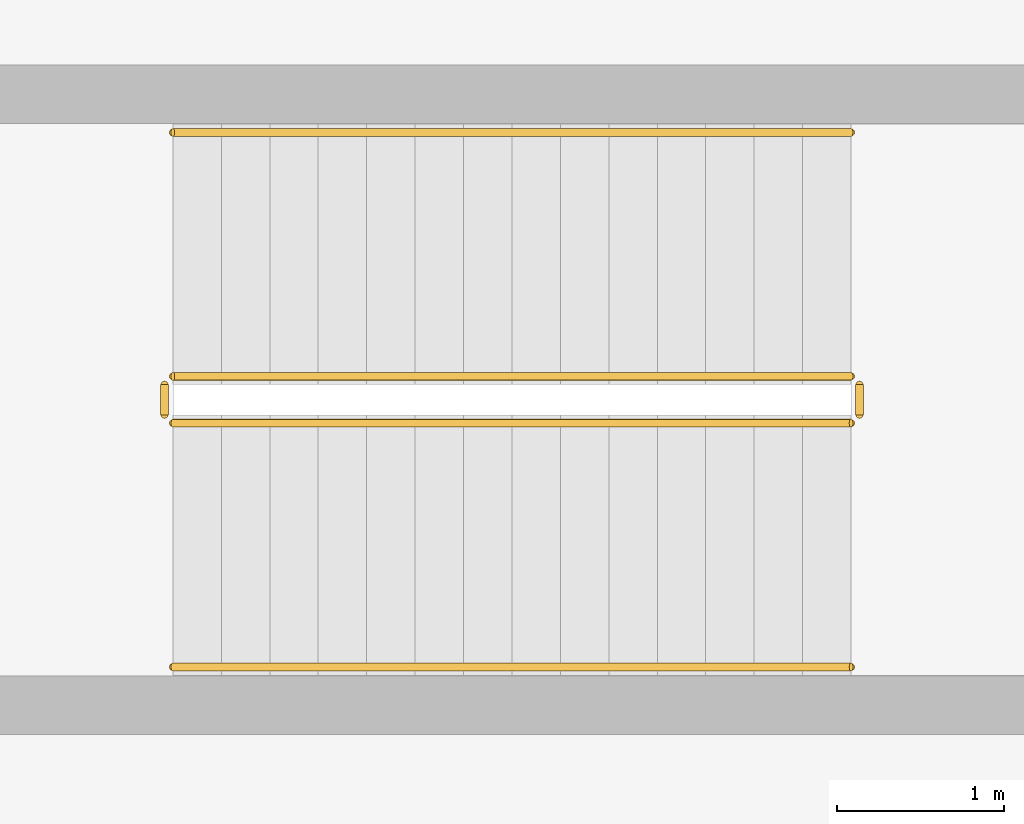
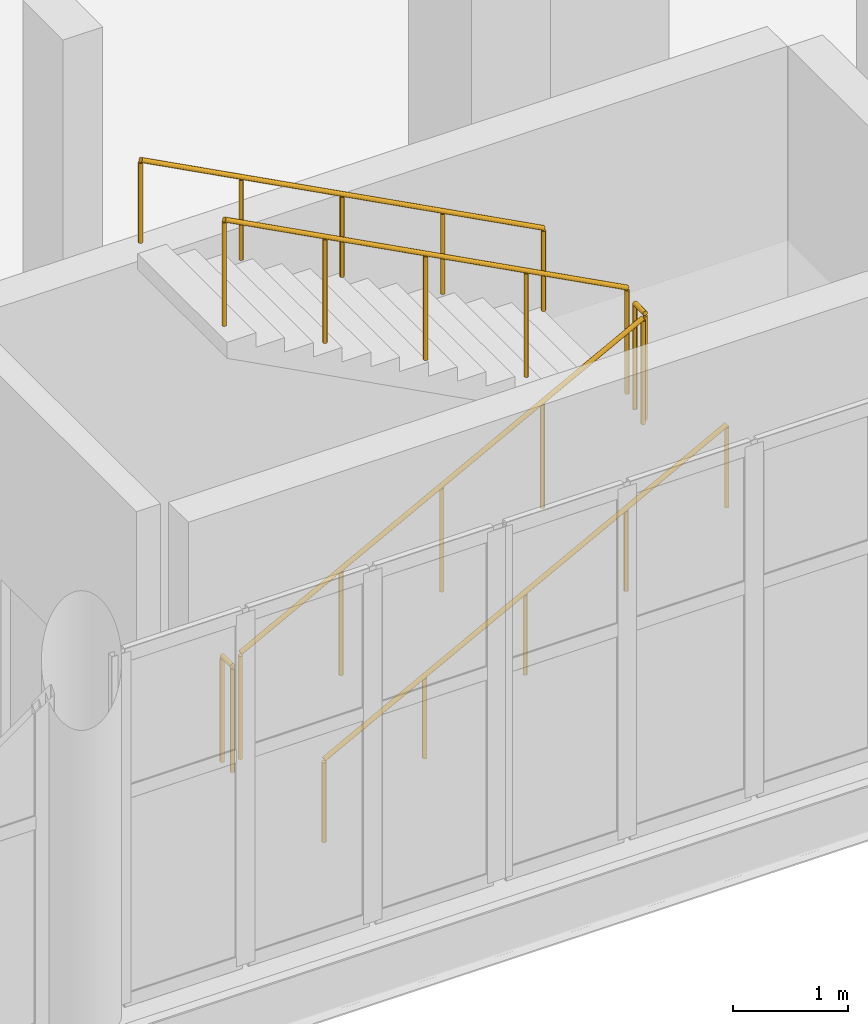
# One storey, part 130 of 136: 6 railings.
"""IFC4 building model written with IfcOpenShell, lengths in metres."""

import ifcopenshell
import ifcopenshell.guid

model = None  # the IFC model being written
_history = None  # IfcOwnerHistory: only IFC2X3 demands one
_inside = {}  # id of a spatial element -> (the spatial element, [elements in it])
_under = {}  # id of a project, library or spatial element -> (it, [spatial elements below it])
_declared = {}  # id of a project -> (the project, [libraries it declares])
_typed = {}  # id of a type object -> (the type object, [elements of that type])
_made_of = {}  # id of a material, layer set ... -> (it, [elements and type objects made of it])


def new_model(schema):
    """Start an empty IFC model of exactly this schema.

    Asked for "IFC4X3", IfcOpenShell would pick the latest addendum, in which some entities
    have other attributes; the version numbers below select the first issue.
    IFC2X3 requires an IfcOwnerHistory on every rooted entity: one is made here for all.
    """
    global model, _history
    if schema == "IFC4X3":
        model = ifcopenshell.file(schema_version=(4, 3, 0, 0))
    else:
        model = ifcopenshell.file(schema=schema)
    _inside.clear()
    _under.clear()
    _declared.clear()
    _typed.clear()
    _made_of.clear()
    _history = None
    if model.schema == "IFC2X3":
        org = make("IfcOrganization", Name="unknown")
        user = make(
            "IfcPersonAndOrganization",
            ThePerson=make("IfcPerson", FamilyName="unknown"),
            TheOrganization=org,
        )
        app = make(
            "IfcApplication",
            ApplicationDeveloper=org,
            Version="unknown",
            ApplicationFullName="unknown",
            ApplicationIdentifier="unknown",
        )
        _history = make(
            "IfcOwnerHistory",
            OwningUser=user,
            OwningApplication=app,
            ChangeAction="ADDED",
            CreationDate=0,
        )
    return model


def make(cls, **values):
    """One entity of the class cls with the attributes given. An attribute that is None is left unset."""
    return model.create_entity(
        cls, **{name: value for name, value in values.items() if value is not None}
    )


def rooted(cls, **values):
    """An entity with a GlobalId (a new one), such as an element, a storey or a relation."""
    return make(cls, GlobalId=ifcopenshell.guid.new(), OwnerHistory=_history, **values)


def si_unit(unit_type, name, prefix=None):
    """IfcSIUnit, for example si_unit("LENGTHUNIT", "METRE", prefix="MILLI")."""
    return make("IfcSIUnit", UnitType=unit_type, Prefix=prefix, Name=name)


def assignment(units):
    """IfcUnitAssignment: the units of a project."""
    return None if units is None else make("IfcUnitAssignment", Units=units)


def point(xyz):
    """IfcCartesianPoint."""
    return None if xyz is None else make("IfcCartesianPoint", Coordinates=xyz)


def direction(xyz):
    """IfcDirection."""
    return None if xyz is None else make("IfcDirection", DirectionRatios=xyz)


def frame(location, z_axis=None, x_axis=None):
    """IfcAxis2Placement3D, a coordinate frame: its origin and axes. An axis left out is left unset."""
    return make(
        "IfcAxis2Placement3D",
        Location=point(location),
        Axis=direction(z_axis),
        RefDirection=direction(x_axis),
    )


def frame_2d(location, x_axis=None):
    """IfcAxis2Placement2D, a coordinate frame in the plane: its origin and x axis."""
    return make(
        "IfcAxis2Placement2D", Location=point(location), RefDirection=direction(x_axis)
    )


def origin():
    """The frame at (0, 0, 0) with its axes left unset."""
    return frame((0.0, 0.0, 0.0))


def origin_2d():
    """The frame at (0, 0) in the plane with its x axis left unset."""
    return frame_2d((0.0, 0.0))


def place(relative_to, where):
    """IfcLocalPlacement: puts the frame where relative to a parent placement (None: the world)."""
    return make(
        "IfcLocalPlacement", PlacementRelTo=relative_to, RelativePlacement=where
    )


def context(
    kind, dimensions, precision=None, world=None, true_north=None, identifier=None
):
    """IfcGeometricRepresentationContext, for example the 3D "Model" context."""
    return make(
        "IfcGeometricRepresentationContext",
        ContextIdentifier=identifier,
        ContextType=kind,
        CoordinateSpaceDimension=dimensions,
        Precision=precision,
        WorldCoordinateSystem=world,
        TrueNorth=true_north,
    )


def subcontext(parent, identifier, kind, view, scale=None):
    """IfcGeometricRepresentationSubContext, for example "Body" below "Model"."""
    return make(
        "IfcGeometricRepresentationSubContext",
        ContextIdentifier=identifier,
        ContextType=kind,
        ParentContext=parent,
        TargetScale=scale,
        TargetView=view,
    )


def project(units=None, contexts=None):
    """IfcProject with its units and contexts."""
    return rooted(
        "IfcProject",
        Name="project",
        RepresentationContexts=contexts,
        UnitsInContext=assignment(units),
    )


def spatial(cls, under=None, at=None, **own):
    """A site, building, storey or space (cls), placed at a placement, below another one or the project."""
    s = rooted(cls, ObjectPlacement=at, **own)
    if under is not None:
        _under.setdefault(under.id(), (under, []))[1].append(s)
    return s


def profile(cls, at=None, kind="AREA", **sizes):
    """A parametric profile (cls). Its sizes go by their IFC names, for example OverallWidth=200.0."""
    return make(cls, ProfileType=kind, Position=at, **sizes)


def circle(**sizes):
    """IfcCircleProfileDef."""
    return profile("IfcCircleProfileDef", **sizes)


def extrude(swept, where, along, depth):
    """IfcExtrudedAreaSolid: the profile swept, set in the frame where, extruded along a direction by depth."""
    return make(
        "IfcExtrudedAreaSolid",
        SweptArea=swept,
        Position=where,
        ExtrudedDirection=direction(along),
        Depth=depth,
    )


def shape(context_of_items, identifier, shape_type, items):
    """IfcShapeRepresentation: the items that make up one representation, for example the "Body"."""
    return make(
        "IfcShapeRepresentation",
        ContextOfItems=context_of_items,
        RepresentationIdentifier=identifier,
        RepresentationType=shape_type,
        Items=items,
    )


def material(Name=None, Category=None):
    """IfcMaterial."""
    return make("IfcMaterial", Name=Name, Category=Category)


def made_of(thing, what):
    """Note that an element or type object is made of a material, layer set ...; save() writes the relation."""
    if what is not None:
        _made_of.setdefault(what.id(), (what, []))[1].append(thing)
    return thing


def type_object(cls, material=None, **own):
    """A type object (cls), such as IfcWallType, which elements share."""
    return made_of(rooted(cls, **own), material)


def element(
    cls,
    number,
    at=None,
    inside=None,
    cuts=None,
    type_object=None,
    material=None,
    context=None,
    identifier="Body",
    shape_type=None,
    held_by="IfcProductDefinitionShape",
    body=None,
    shapes=None,
    **own,
):
    """One element of the class cls, such as IfcWall. Its Tag is "e" and its number.

    at: its placement. inside: the storey or other place that contains it. cuts: it is an
    opening in that element (IfcRelVoidsElement). A single representation is given by context,
    identifier, shape_type and body (its items); several are given by shapes. held_by: the class
    of the entity that holds the representations. save() writes the other relations.
    """
    e = rooted(cls, Tag="e%d" % number, ObjectPlacement=at, **own)
    if body is not None:
        shapes = [shape(context, identifier, shape_type, body)]
    if shapes is not None:
        e.Representation = make(held_by, Representations=shapes)
    if inside is not None:
        _inside.setdefault(inside.id(), (inside, []))[1].append(e)
    if cuts is not None:
        rooted(
            "IfcRelVoidsElement", RelatingBuildingElement=cuts, RelatedOpeningElement=e
        )
    if type_object is not None:
        _typed.setdefault(type_object.id(), (type_object, []))[1].append(e)
    return made_of(e, material)


def aggregate(whole, parts):
    """IfcRelAggregates: a whole, such as a stair, and the parts it consists of."""
    return rooted("IfcRelAggregates", RelatingObject=whole, RelatedObjects=parts)


def save(model, path):
    """Write the relations noted so far, then the file.

    IfcRelAggregates (storeys below a building ...), IfcRelContainedInSpatialStructure (elements
    in a storey), IfcRelDefinesByType, IfcRelAssociatesMaterial and IfcRelDeclares: one each for
    every whole, place, type object, material and project.
    """
    for whole, parts in _under.values():
        aggregate(whole, parts)
    for where, things in _inside.values():
        rooted(
            "IfcRelContainedInSpatialStructure",
            RelatedElements=things,
            RelatingStructure=where,
        )
    for kind, things in _typed.values():
        rooted("IfcRelDefinesByType", RelatedObjects=things, RelatingType=kind)
    for what, things in _made_of.values():
        rooted("IfcRelAssociatesMaterial", RelatedObjects=things, RelatingMaterial=what)
    for by, libraries in _declared.values():
        rooted("IfcRelDeclares", RelatingContext=by, RelatedDefinitions=libraries)
    model.write(path)


model = new_model("IFC4")

# Units and contexts
model_context = context("Model", 3, precision=1e-05, world=origin(), true_north=direction((0.0, 1.0)))
body_context = subcontext(model_context, "Body", "Model", "MODEL_VIEW")
ifc_project = project(units=[si_unit("LENGTHUNIT", "METRE"), si_unit("AREAUNIT", "SQUARE_METRE"), si_unit("VOLUMEUNIT", "CUBIC_METRE"), si_unit("PLANEANGLEUNIT", "RADIAN"), si_unit("MASSUNIT", "GRAM", prefix="KILO")], contexts=[model_context])

# Site, building, storey
site_placement = place(None, origin())
site = spatial("IfcSite", under=ifc_project, at=site_placement, CompositionType="ELEMENT")
building_placement = place(site_placement, origin())
building = spatial("IfcBuilding", under=site, at=building_placement, Name="Shengluoqiao Park Theatre", CompositionType="ELEMENT")
storey_placement = place(building_placement, frame((0.0, 0.0, 10.0)))
storey = spatial("IfcBuildingStorey", under=building, at=storey_placement, Name="L02", CompositionType="ELEMENT", Elevation=10.0)

# Railings
ifc_material_1 = material(Name="Painted steel", Category="steel")
railing_type_1 = type_object("IfcRailingType", Name="INT-RL-STGRD", PredefinedType="GUARDRAIL", material=ifc_material_1)
railing_1_placement = place(storey_placement, frame((72.64990234375, 70.909912109375, 0.1533203125)))
element("IfcRailing", 1, at=railing_1_placement, inside=storey, type_object=railing_type_1, Name="L02 ST-11 stair guard 1", PredefinedType="GUARDRAIL", context=body_context, shape_type="SweptSolid", body=[
    extrude(circle(Radius=0.02392578125, at=origin_2d()), frame((0.0, 0.0, 1.1259765625), z_axis=(0.884032182968, 0.0, 0.46742603637), x_axis=(0.0, 1.0, 0.0)), (0.0, 0.0, 1.0), 4.5927734375),
    extrude(circle(Radius=0.02099609375, at=origin_2d()), origin(), (0.0, 0.0, 1.0), 1.101806640625),
    extrude(circle(Radius=0.02099609375, at=origin_2d()), frame((1.01513671875, 0.0, 0.53662109375)), (0.0, 0.0, 1.0), 1.101806640625),
    extrude(circle(Radius=0.02099609375, at=origin_2d()), frame((2.030029296875, 0.0, 1.0732421875)), (0.0, 0.0, 1.0), 1.101806640625),
    extrude(circle(Radius=0.02099609375, at=origin_2d()), frame((3.044921875, 0.0, 1.610107421875)), (0.0, 0.0, 1.0), 1.101806640625),
    extrude(circle(Radius=0.02099609375, at=origin_2d()), frame((4.06005859375, 0.0, 2.146728515625)), (0.0, 0.0, 1.0), 1.101806640625),
])
railing_2_placement = place(storey_placement, frame((76.760009765625, 70.9599609375, 2.300048828125)))
element("IfcRailing", 2, at=railing_2_placement, inside=storey, type_object=railing_type_1, Name="L02 ST-11 stair guard 2", PredefinedType="GUARDRAIL", context=body_context, shape_type="SweptSolid", body=[
    extrude(circle(Radius=0.02392578125, at=origin_2d()), frame((0.0, 0.0, 1.1259765625), z_axis=(0.0, 1.0, 0.0), x_axis=(-1.0, 0.0, 0.0)), (0.0, 0.0, 1.0), 0.179931640625),
    extrude(circle(Radius=0.02099609375, at=origin_2d()), origin(), (0.0, 0.0, 1.0), 1.101806640625),
    extrude(circle(Radius=0.02099609375, at=origin_2d()), frame((0.0, 0.179931640625, 0.0)), (0.0, 0.0, 1.0), 1.101806640625),
])
railing_3_placement = place(storey_placement, frame((76.7099609375, 71.18994140625, 2.453369140625)))
element("IfcRailing", 3, at=railing_3_placement, inside=storey, type_object=railing_type_1, Name="L02 ST-11 stair guard 3", PredefinedType="GUARDRAIL", context=body_context, shape_type="SweptSolid", body=[
    extrude(circle(Radius=0.02392578125, at=origin_2d()), frame((0.0, 0.0, 1.1259765625), z_axis=(-0.884032182968, 0.0, 0.46742603637), x_axis=(0.0, -1.0, 0.0)), (0.0, 0.0, 1.0), 4.5927734375),
    extrude(circle(Radius=0.02099609375, at=origin_2d()), origin(), (0.0, 0.0, 1.0), 1.101806640625),
    extrude(circle(Radius=0.02099609375, at=origin_2d()), frame((-1.01513671875, 0.0, 0.53662109375)), (0.0, 0.0, 1.0), 1.101806640625),
    extrude(circle(Radius=0.02099609375, at=origin_2d()), frame((-2.030029296875, 0.0, 1.0732421875)), (0.0, 0.0, 1.0), 1.101806640625),
    extrude(circle(Radius=0.02099609375, at=origin_2d()), frame((-3.044921875, 0.0, 1.610107421875)), (0.0, 0.0, 1.0), 1.101806640625),
    extrude(circle(Radius=0.02099609375, at=origin_2d()), frame((-4.06005859375, 0.0, 2.146728515625)), (0.0, 0.0, 1.0), 1.101806640625),
])
railing_4_placement = place(storey_placement, frame((72.60009765625, 70.9599609375, 0.0)))
element("IfcRailing", 4, at=railing_4_placement, inside=storey, type_object=railing_type_1, Name="L02 ST-11 stair guard 4", PredefinedType="GUARDRAIL", context=body_context, shape_type="SweptSolid", body=[
    extrude(circle(Radius=0.02392578125, at=origin_2d()), frame((0.0, 0.0, 1.1259765625), z_axis=(0.0, 1.0, 0.0), x_axis=(-1.0, 0.0, 0.0)), (0.0, 0.0, 1.0), 0.179931640625),
    extrude(circle(Radius=0.02099609375, at=origin_2d()), origin(), (0.0, 0.0, 1.0), 1.101806640625),
    extrude(circle(Radius=0.02099609375, at=origin_2d()), frame((0.0, 0.179931640625, 0.0)), (0.0, 0.0, 1.0), 1.101806640625),
])
ifc_material_2 = material(Name="Stainless steel 304", Category="steel")
railing_type_2 = type_object("IfcRailingType", Name="INT-RL-STHR", PredefinedType="HANDRAIL", material=ifc_material_2)
railing_5_placement = place(storey_placement, frame((72.64990234375, 69.449951171875, 0.1533203125)))
element("IfcRailing", 5, at=railing_5_placement, inside=storey, type_object=railing_type_2, Name="L02 ST-11 stair handrail 1", PredefinedType="HANDRAIL", context=body_context, shape_type="SweptSolid", body=[
    extrude(circle(Radius=0.02392578125, at=origin_2d()), frame((0.0, 0.0, 0.8759765625), z_axis=(0.884032182968, 0.0, 0.46742603637), x_axis=(0.0, 1.0, 0.0)), (0.0, 0.0, 1.0), 4.5927734375),
    extrude(circle(Radius=0.02099609375, at=origin_2d()), origin(), (0.0, 0.0, 1.0), 0.851806640625),
    extrude(circle(Radius=0.02099609375, at=origin_2d()), frame((1.01513671875, 0.0, 0.53662109375)), (0.0, 0.0, 1.0), 0.851806640625),
    extrude(circle(Radius=0.02099609375, at=origin_2d()), frame((2.030029296875, 0.0, 1.0732421875)), (0.0, 0.0, 1.0), 0.851806640625),
    extrude(circle(Radius=0.02099609375, at=origin_2d()), frame((3.044921875, 0.0, 1.610107421875)), (0.0, 0.0, 1.0), 0.851806640625),
    extrude(circle(Radius=0.02099609375, at=origin_2d()), frame((4.06005859375, 0.0, 2.146728515625)), (0.0, 0.0, 1.0), 0.851806640625),
])
railing_6_placement = place(storey_placement, frame((76.7099609375, 72.64990234375, 2.453369140625)))
element("IfcRailing", 6, at=railing_6_placement, inside=storey, type_object=railing_type_2, Name="L02 ST-11 stair handrail 2", PredefinedType="HANDRAIL", context=body_context, shape_type="SweptSolid", body=[
    extrude(circle(Radius=0.02392578125, at=origin_2d()), frame((0.0, 0.0, 0.8759765625), z_axis=(-0.884032182968, 0.0, 0.46742603637), x_axis=(0.0, -1.0, 0.0)), (0.0, 0.0, 1.0), 4.5927734375),
    extrude(circle(Radius=0.02099609375, at=origin_2d()), origin(), (0.0, 0.0, 1.0), 0.851806640625),
    extrude(circle(Radius=0.02099609375, at=origin_2d()), frame((-1.01513671875, 0.0, 0.53662109375)), (0.0, 0.0, 1.0), 0.851806640625),
    extrude(circle(Radius=0.02099609375, at=origin_2d()), frame((-2.030029296875, 0.0, 1.0732421875)), (0.0, 0.0, 1.0), 0.851806640625),
    extrude(circle(Radius=0.02099609375, at=origin_2d()), frame((-3.044921875, 0.0, 1.610107421875)), (0.0, 0.0, 1.0), 0.851806640625),
    extrude(circle(Radius=0.02099609375, at=origin_2d()), frame((-4.06005859375, 0.0, 2.146728515625)), (0.0, 0.0, 1.0), 0.851806640625),
])

save(model, "model.ifc")
